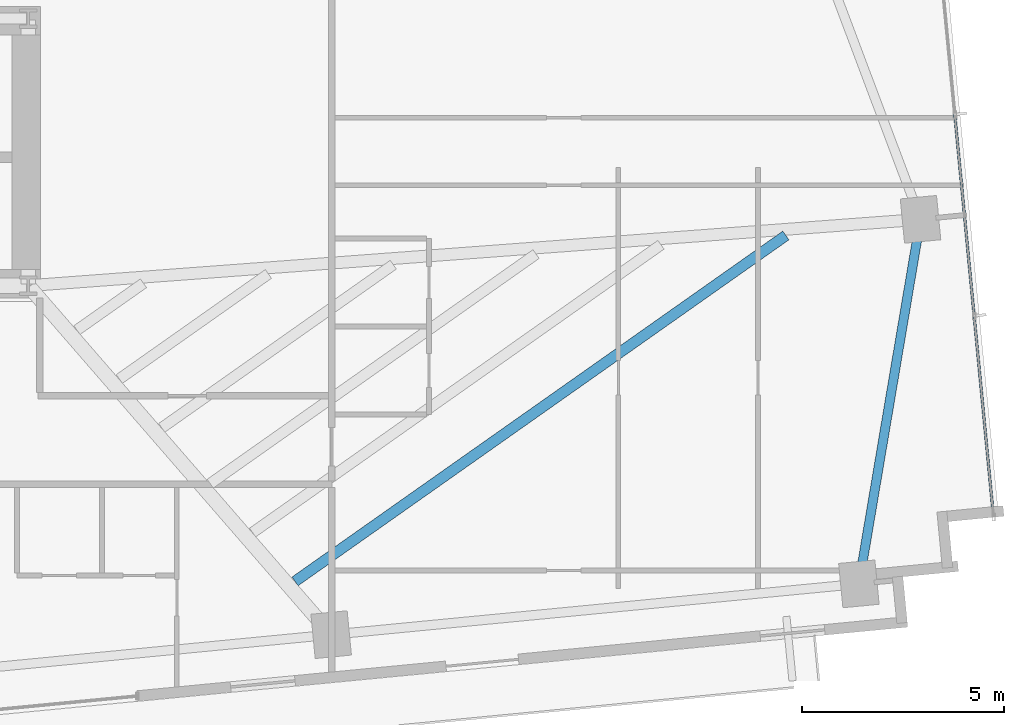
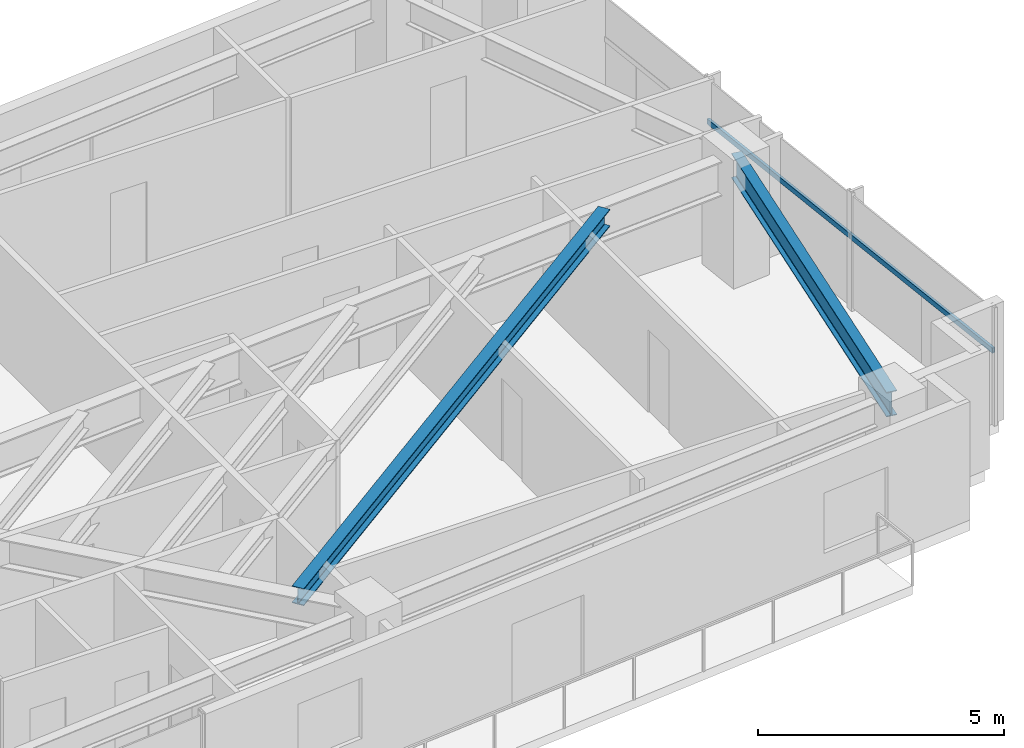
# One storey, part 15 of 27: 2 beams, 2 members, 1 element without a shape of its own.
"""IFC4 building model written with IfcOpenShell, lengths in metres."""

from ifc_helpers import new_model, si_unit, direction, frame, origin, origin_2d, place, context, subcontext, project, spatial, hollow_rectangle, i_section, extrude, source, transform, mapped, material, material_profile, profile_set, type_object, type_shapes, element, aggregate, save


model = new_model("IFC4")

# Units and contexts
model_context = context("Model", 3, precision=1e-05, world=origin(), true_north=direction((0.0, 1.0)))
body_context = subcontext(model_context, "Body", "Model", "MODEL_VIEW")
ifc_project = project(units=[si_unit("LENGTHUNIT", "METRE"), si_unit("AREAUNIT", "SQUARE_METRE"), si_unit("VOLUMEUNIT", "CUBIC_METRE"), si_unit("PLANEANGLEUNIT", "RADIAN"), si_unit("MASSUNIT", "GRAM", prefix="KILO")], contexts=[model_context])

# Site, building, storey
site_placement = place(None, origin())
site = spatial("IfcSite", under=ifc_project, at=site_placement, CompositionType="ELEMENT")
building_placement = place(site_placement, origin())
building = spatial("IfcBuilding", under=site, at=building_placement, Name="Astriad Promenade Condominiums", CompositionType="ELEMENT")
storey_placement = place(building_placement, frame((0.0, 0.0, 87.39990234375)))
storey = spatial("IfcBuildingStorey", under=building, at=storey_placement, Name="L24", CompositionType="ELEMENT", Elevation=87.39990234375)

# Beams
ifc_material_1 = material(Name="Steel ASTM A992 Grade 50", Category="steel")
ifc_material_profile_1 = material_profile(ifc_material_1, i_section(OverallWidth=0.22900390625, OverallDepth=0.612060546875, WebThickness=0.011962890625, FlangeThickness=0.01953125, FilletRadius=0.017822265625, at=origin_2d()), Name="W24X84")
ifc_profile_set_1 = profile_set([ifc_material_profile_1], Name="Steel ASTM A992 Grade 50")
beam_type_1 = type_object("IfcBeamType", Name="STEEL SPANDREL BEAM W24X84", PredefinedType="SPANDREL", material=ifc_profile_set_1)
shared_shape_1 = source(origin(), body_context, "Body", "SweptSolid", [
    extrude(i_section(OverallWidth=0.22900390625, OverallDepth=0.612060546875, WebThickness=0.011962890625, FlangeThickness=0.01953125, FilletRadius=0.017822265625, at=origin_2d()), origin(), (0.0, 0.0, 1.0), 9.055419921875),
])
type_shapes(beam_type_1, [shared_shape_1])
beam_1_placement = place(storey_placement, frame((66.13134765625, 10.0712890625, 2.634033203125), z_axis=(0.166776851291, 0.98599466625, 0.0), x_axis=(-0.98599466625, 0.166776851291, 0.0)))
element("IfcBeam", 1, at=beam_1_placement, inside=storey, type_object=beam_type_1, Name="Perimeter Spandrel Beam SP-E1-L24", PredefinedType="SPANDREL", context=body_context, shape_type="MappedRepresentation", body=[
    mapped(shared_shape_1, transform((0.0, 0.0, 0.0), scale=1.0)),
])
ifc_material_profile_2 = material_profile(ifc_material_1, i_section(OverallWidth=0.26318359375, OverallDepth=0.425537109375, WebThickness=0.01318359375, FlangeThickness=0.022216796875, FilletRadius=0.013916015625, at=origin_2d()), Name="W16X89")
ifc_profile_set_2 = profile_set([ifc_material_profile_2], Name="Steel ASTM A992 Grade 50")
beam_type_2 = type_object("IfcBeamType", Name="STEEL FLOOR JOIST W16X89", PredefinedType="JOIST", material=ifc_profile_set_2)
shared_shape_2 = source(origin(), body_context, "Body", "SweptSolid", [
    extrude(i_section(OverallWidth=0.26318359375, OverallDepth=0.425537109375, WebThickness=0.01318359375, FlangeThickness=0.022216796875, FilletRadius=0.013916015625, at=origin_2d()), origin(), (0.0, 0.0, 1.0), 14.838134765625),
])
type_shapes(beam_type_2, [shared_shape_2])
beam_2_placement = place(storey_placement, frame((52.192138671875, 10.093017578125, 2.727294921875), z_axis=(0.817419044294, 0.576043493171, 0.0), x_axis=(-0.576043493171, 0.817419044294, 0.0)))
element("IfcBeam", 2, at=beam_2_placement, inside=storey, type_object=beam_type_2, Name="Secondary Composite Floor Joist JE1-1-L24", PredefinedType="JOIST", context=body_context, shape_type="MappedRepresentation", body=[
    mapped(shared_shape_2, transform((0.0, 0.0, 0.0), scale=1.0)),
])

# Curtain wall, members
ifc_material_2 = material(Name="Anodised aluminium Black Dark Glass Unitised", Category="aluminium")
curtain_wall_type = type_object("IfcCurtainWallType", Name="CW-B2-DARK", PredefinedType="USERDEFINED", material=ifc_material_2)
curtain_wall_placement = place(storey_placement, origin())
curtain_wall = element("IfcCurtainWall", 3, at=curtain_wall_placement, inside=storey, type_object=curtain_wall_type, Name="CW-L24-E", ObjectType="UNITISED_CURTAIN_WALL", PredefinedType="USERDEFINED")
ifc_material_3 = material(Name="Anodised aluminium 6063-T6 Black", Category="aluminium")
ifc_material_profile_3 = material_profile(ifc_material_3, hollow_rectangle(XDim=0.06494140625, YDim=0.1298828125, WallThickness=0.00390625, at=origin_2d()), Name="ALU-TRN-65X130")
ifc_profile_set_3 = profile_set([ifc_material_profile_3], Name="Anodised aluminium 6063-T6 Black")
member_type = type_object("IfcMemberType", Name="TRN-ALU-TRN-65X130", PredefinedType="USERDEFINED", material=ifc_profile_set_3)
shared_shape_3 = source(origin(), body_context, "Body", "SweptSolid", [
    extrude(hollow_rectangle(XDim=0.06494140625, YDim=0.1298828125, WallThickness=0.00390625, at=origin_2d()), origin(), (0.0, 0.0, 1.0), 5.0),
])
member_1_placement = place(storey_placement, frame((68.972900390625, 16.6552734375, 1.822998046875), z_axis=(0.095848242264, -0.995395958629, 0.0), x_axis=(0.995395958629, 0.095848242264, 0.0)))
member_1 = element("IfcMember", 4, at=member_1_placement, type_object=member_type, Name="CW-L24-E-TRN-02-0", ObjectType="TRANSOM", PredefinedType="USERDEFINED", context=body_context, shape_type="MappedRepresentation", body=[
    mapped(shared_shape_3, transform((0.0, 0.0, 0.0), scale=1.0)),
])
shared_shape_4 = source(origin(), body_context, "Body", "SweptSolid", [
    extrude(hollow_rectangle(XDim=0.06494140625, YDim=0.1298828125, WallThickness=0.00390625, at=origin_2d()), origin(), (0.0, 0.0, 1.0), 4.999755859375),
])
type_shapes(member_type, [shared_shape_3, shared_shape_4])
member_2_placement = place(storey_placement, frame((68.493896484375, 21.632080078125, 1.822998046875), z_axis=(0.095804519461, -0.995400167797, 0.0), x_axis=(0.995400167797, 0.095804519461, 0.0)))
member_2 = element("IfcMember", 5, at=member_2_placement, type_object=member_type, Name="CW-L24-E-TRN-01-0", ObjectType="TRANSOM", PredefinedType="USERDEFINED", context=body_context, shape_type="MappedRepresentation", body=[
    mapped(shared_shape_4, transform((0.0, 0.0, 0.0), scale=1.0)),
])
aggregate(curtain_wall, [member_2, member_1])

save(model, "model.ifc")
